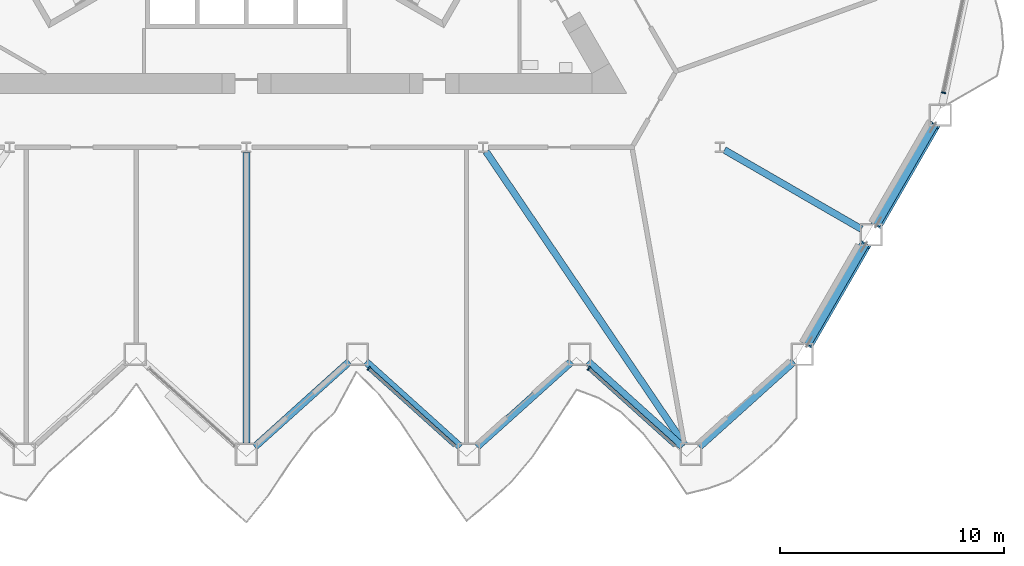
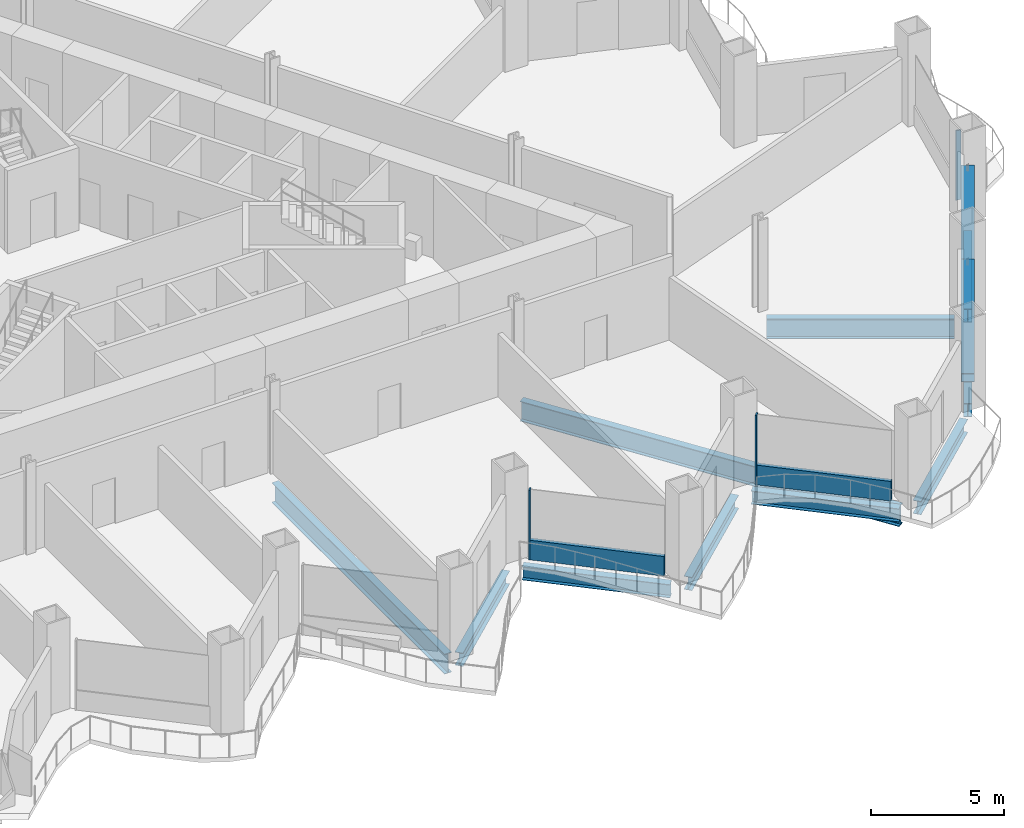
# One storey, part 4 of 21: 10 beams, 7 members, 3 elements without a shape of their own.
"""IFC4 building model written with IfcOpenShell, lengths in metres."""

from ifc_helpers import new_model, si_unit, direction, frame, origin, origin_2d, place, context, subcontext, project, spatial, rectangle, hollow_rectangle, i_section, extrude, material, layer, layer_set, material_profile, profile_set, type_object, element, aggregate, save


model = new_model("IFC4")

# Units and contexts
model_context = context("Model", 3, precision=1e-05, world=origin(), true_north=direction((0.0, 1.0)))
body_context = subcontext(model_context, "Body", "Model", "MODEL_VIEW")
ifc_project = project(units=[si_unit("LENGTHUNIT", "METRE"), si_unit("AREAUNIT", "SQUARE_METRE"), si_unit("VOLUMEUNIT", "CUBIC_METRE"), si_unit("PLANEANGLEUNIT", "RADIAN"), si_unit("MASSUNIT", "GRAM", prefix="KILO")], contexts=[model_context])

# Site, building, storey
site_placement = place(None, origin())
site = spatial("IfcSite", under=ifc_project, at=site_placement, CompositionType="ELEMENT")
building_placement = place(site_placement, origin())
building = spatial("IfcBuilding", under=site, at=building_placement, Name="Cormorant Prow Tower", CompositionType="ELEMENT")
storey_placement = place(building_placement, frame((0.0, 0.0, 67.800048828125)))
storey = spatial("IfcBuildingStorey", under=building, at=storey_placement, Name="L14", CompositionType="ELEMENT", Elevation=67.800048828125)

# Members
ifc_material_1 = material(Name="Structural steel ASTM A500 Gr C", Category="steel")
ifc_material_profile_1 = material_profile(ifc_material_1, hollow_rectangle(XDim=0.508056640625, YDim=0.508056640625, WallThickness=0.014892578125, at=origin_2d()), Name="HSS20x20x5/8")
ifc_profile_set_1 = profile_set([ifc_material_profile_1], Name="Structural steel ASTM A500 Gr C")
member_type_1 = type_object("IfcMemberType", Name="Chamfer brace HSS20x20x5/8", PredefinedType="BRACE", material=ifc_profile_set_1)
member_1_placement = place(storey_placement, frame((25.089599609375, -21.0107421875, 0.76708984375), z_axis=(0.47589308504, 0.824244468952, 0.306833549359), x_axis=(-0.866018434186, 0.500012071504, 0.0)))
element("IfcMember", 1, at=member_1_placement, inside=storey, type_object=member_type_1, Name="Chamfer brace BR1 at ESE00 L14", PredefinedType="BRACE", context=body_context, shape_type="SweptSolid", body=[
    extrude(hollow_rectangle(XDim=0.508056640625, YDim=0.508056640625, WallThickness=0.014892578125, at=origin_2d()), origin(), (0.0, 0.0, 1.0), 5.392333984375),
])
member_2_placement = place(storey_placement, frame((28.174560546875, -15.667724609375, 0.76708984375), z_axis=(0.475875326044, 0.824258984489, 0.306822099191), x_axis=(-0.866030326616, 0.499991473309, 0.0)))
element("IfcMember", 2, at=member_2_placement, inside=storey, type_object=member_type_1, Name="Chamfer brace BR1 at ESE01 L14", PredefinedType="BRACE", context=body_context, shape_type="SweptSolid", body=[
    extrude(hollow_rectangle(XDim=0.508056640625, YDim=0.508056640625, WallThickness=0.014892578125, at=origin_2d()), origin(), (0.0, 0.0, 1.0), 5.392578125),
])

# Curtain wall, member
ifc_material_2 = material(Name="Aluminium 6063-T6", Category="aluminium")
ifc_layer = layer(ifc_material_2, 0.199951171875)
ifc_layer_set = layer_set([ifc_layer], Name="Aluminium 6063-T6")
curtain_wall_type = type_object("IfcCurtainWallType", Name="Office unitised curtain wall 200", PredefinedType="NOTDEFINED", material=ifc_layer_set)
curtain_wall_1_placement = place(storey_placement, origin())
curtain_wall_1 = element("IfcCurtainWall", 3, at=curtain_wall_1_placement, inside=storey, type_object=curtain_wall_type, Name="Office curtain wall S06", PredefinedType="NOTDEFINED")
ifc_material_3 = material(Name="Aluminium 6063-T6", Category="aluminium")
ifc_material_profile_2 = material_profile(ifc_material_3, rectangle(XDim=0.199951171875, YDim=0.06005859375, at=origin_2d()), Name="Office mullion 60x200")
ifc_profile_set_2 = profile_set([ifc_material_profile_2], Name="Aluminium 6063-T6")
member_type_2 = type_object("IfcMemberType", Name="Office mullion 60x200", PredefinedType="MULLION", material=ifc_profile_set_2)
member_3_placement = place(storey_placement, frame((5.461669921875, -22.092041015625, 0.0), z_axis=(0.0, 0.0, 1.0), x_axis=(0.669130614945, 0.743144817746, 0.0)))
member_3 = element("IfcMember", 4, at=member_3_placement, type_object=member_type_2, Name="Office mullion S06", PredefinedType="MULLION", context=body_context, shape_type="SweptSolid", body=[
    extrude(rectangle(XDim=0.199951171875, YDim=0.06005859375, at=origin_2d()), origin(), (0.0, 0.0, 1.0), 3.18896484375),
])

curtain_wall_2_placement = place(storey_placement, origin())
curtain_wall_2 = element("IfcCurtainWall", 5, at=curtain_wall_2_placement, inside=storey, type_object=curtain_wall_type, Name="Office curtain wall S08", PredefinedType="NOTDEFINED")
member_4_placement = place(storey_placement, frame((15.2958984375, -22.092041015625, 0.0), z_axis=(0.0, 0.0, 1.0), x_axis=(0.669130614945, 0.743144817746, 0.0)))
member_4 = element("IfcMember", 6, at=member_4_placement, type_object=member_type_2, Name="Office mullion S08", PredefinedType="MULLION", context=body_context, shape_type="SweptSolid", body=[
    extrude(rectangle(XDim=0.199951171875, YDim=0.06005859375, at=origin_2d()), origin(), (0.0, 0.0, 1.0), 3.18896484375),
])

curtain_wall_3_placement = place(storey_placement, origin())
curtain_wall_3 = element("IfcCurtainWall", 7, at=curtain_wall_3_placement, inside=storey, type_object=curtain_wall_type, Name="Office curtain wall ENE00", PredefinedType="NOTDEFINED")
member_5_placement = place(storey_placement, frame((31.15234375, -9.773681640625, 0.0), z_axis=(0.0, 0.0, 1.0), x_axis=(-0.978147586919, 0.20791175581, 0.0)))
member_5 = element("IfcMember", 8, at=member_5_placement, type_object=member_type_2, Name="Office mullion ENE00", PredefinedType="MULLION", context=body_context, shape_type="SweptSolid", body=[
    extrude(rectangle(XDim=0.199951171875, YDim=0.06005859375, at=origin_2d()), origin(), (0.0, 0.0, 1.0), 3.18896484375),
])
aggregate(curtain_wall_3, [member_5])

# Member
ifc_material_4 = material(Name="Terracotta", Category="masonry")
ifc_material_profile_3 = material_profile(ifc_material_4, rectangle(XDim=0.159912109375, YDim=0.89990234375, at=origin_2d()), Name="Office terracotta spandrel rail 160x900")
ifc_profile_set_3 = profile_set([ifc_material_profile_3], Name="Terracotta")
member_type_3 = type_object("IfcMemberType", Name="Office terracotta spandrel rail 160x900", PredefinedType="USERDEFINED", material=ifc_profile_set_3)
member_6_placement = place(storey_placement, frame((5.484130859375, -22.112060546875, 0.449951171875), z_axis=(0.743136202967, -0.669140182502, 0.0), x_axis=(0.669140182502, 0.743136202967, 0.0)))
member_6 = element("IfcMember", 9, at=member_6_placement, type_object=member_type_3, Name="Office spandrel rail S06", ObjectType="TRANSOM", PredefinedType="USERDEFINED", context=body_context, shape_type="SweptSolid", body=[
    extrude(rectangle(XDim=0.159912109375, YDim=0.89990234375, at=origin_2d()), origin(), (0.0, 0.0, 1.0), 5.150390625),
])

aggregate(curtain_wall_1, [member_3, member_6])

member_7_placement = place(storey_placement, frame((15.318115234375, -22.112060546875, 0.449951171875), z_axis=(0.743157426454, -0.669116611291, 0.0), x_axis=(0.669116611291, 0.743157426454, 0.0)))
member_7 = element("IfcMember", 10, at=member_7_placement, type_object=member_type_3, Name="Office spandrel rail S08", ObjectType="TRANSOM", PredefinedType="USERDEFINED", context=body_context, shape_type="SweptSolid", body=[
    extrude(rectangle(XDim=0.159912109375, YDim=0.89990234375, at=origin_2d()), origin(), (0.0, 0.0, 1.0), 5.150390625),
])

aggregate(curtain_wall_2, [member_4, member_7])

# Beams
ifc_material_5 = material(Name="Structural steel ASTM A992 Gr 50", Category="steel")
ifc_material_profile_4 = material_profile(ifc_material_5, i_section(OverallWidth=0.3046875, OverallDepth=0.914794921875, WebThickness=0.0166015625, FlangeThickness=0.02587890625, at=origin_2d()), Name="W36x160")
ifc_profile_set_4 = profile_set([ifc_material_profile_4], Name="Structural steel ASTM A992 Gr 50")
beam_type_1 = type_object("IfcBeamType", Name="Radial floor beam W36x160", PredefinedType="BEAM", material=ifc_profile_set_4)
beam_1_placement = place(storey_placement, frame((0.0, -12.447265625, -0.857421875), z_axis=(0.0, -1.0, 0.0), x_axis=(1.0, 0.0, 0.0)))
element("IfcBeam", 11, at=beam_1_placement, inside=storey, type_object=beam_type_1, Name="Radial floor beam FB1 7 L14", PredefinedType="BEAM", context=body_context, shape_type="SweptSolid", body=[
    extrude(i_section(OverallWidth=0.3046875, OverallDepth=0.914794921875, WebThickness=0.0166015625, FlangeThickness=0.02587890625, at=origin_2d()), origin(), (0.0, 0.0, 1.0), 12.984130859375),
])
beam_2_placement = place(storey_placement, frame((10.708740234375, -12.4072265625, -0.857421875), z_axis=(0.560597160775, -0.828088656685, 0.0), x_axis=(0.828088656685, 0.560597160775, 0.0)))
element("IfcBeam", 12, at=beam_2_placement, inside=storey, type_object=beam_type_1, Name="Radial floor beam FB1 8 L14", PredefinedType="BEAM", context=body_context, shape_type="SweptSolid", body=[
    extrude(i_section(OverallWidth=0.3046875, OverallDepth=0.914794921875, WebThickness=0.0166015625, FlangeThickness=0.02587890625, at=origin_2d()), origin(), (0.0, 0.0, 1.0), 15.831787109375),
])
beam_3_placement = place(storey_placement, frame((21.358154296875, -12.3310546875, -0.857421875), z_axis=(0.866014253463, -0.500019312426, 0.0), x_axis=(0.500019312426, 0.866014253463, 0.0)))
element("IfcBeam", 13, at=beam_3_placement, inside=storey, type_object=beam_type_1, Name="Radial floor beam FB1 9 L14", PredefinedType="BEAM", context=body_context, shape_type="SweptSolid", body=[
    extrude(i_section(OverallWidth=0.3046875, OverallDepth=0.914794921875, WebThickness=0.0166015625, FlangeThickness=0.02587890625, at=origin_2d()), origin(), (0.0, 0.0, 1.0), 7.071533203125),
])
ifc_material_6 = material(Name="Structural steel ASTM A992 Gr 50", Category="steel")
ifc_material_profile_5 = material_profile(ifc_material_6, i_section(OverallWidth=0.32373046875, OverallDepth=0.611083984375, WebThickness=0.0126953125, FlangeThickness=0.01904296875, at=origin_2d()), Name="W24x104")
ifc_profile_set_5 = profile_set([ifc_material_profile_5], Name="Structural steel ASTM A992 Gr 50")
beam_type_2 = type_object("IfcBeamType", Name="Spandrel beam W24x104", PredefinedType="SPANDREL", material=ifc_profile_set_5)
for number, where, z_axis, x_axis, name in (
    (14, (0.37158203125, -25.596923828125, -0.70556640625), (0.743129630386, 0.669147481833, 0.0), (-0.669147481833, 0.743129630386, 0.0), "Spandrel beam SB1 S05-S06 L14"),
    (15, (5.337646484375, -21.79443359375, -0.70556640625), (0.743129630386, -0.669147481833, 0.0), (0.669147481833, 0.743129630386, 0.0), "Spandrel beam SB1 S06-S07 L14"),
    (16, (10.3037109375, -25.596923828125, -0.70556640625), (0.743129630386, 0.669147481833, 0.0), (-0.669147481833, 0.743129630386, 0.0), "Spandrel beam SB1 S07-S08 L14"),
    (17, (15.269775390625, -21.79443359375, -0.70556640625), (0.743129630386, -0.669147481833, 0.0), (0.669147481833, 0.743129630386, 0.0), "Spandrel beam SB1 S08-S09 L14"),
    (18, (20.23583984375, -25.596923828125, -0.70556640625), (0.743129630386, 0.669147481833, 0.0), (-0.669147481833, 0.743129630386, 0.0), "Spandrel beam SB1 S09-ESE00 L14"),
):
    element("IfcBeam", number, at=place(storey_placement, frame(where, z_axis=z_axis, x_axis=x_axis)), inside=storey, type_object=beam_type_2, Name=name, PredefinedType="SPANDREL", context=body_context, shape_type="SweptSolid", body=[
        extrude(i_section(OverallWidth=0.32373046875, OverallDepth=0.611083984375, WebThickness=0.0126953125, FlangeThickness=0.01904296875, at=origin_2d()), origin(), (0.0, 0.0, 1.0), 5.6826171875),
    ])
for number, where, z_axis, x_axis, name in (
    (19, (25.080322265625, -21.02685546875, -0.70556640625), (0.500019507279, 0.866014140959, 0.0), (-0.866014140959, 0.500019507279, 0.0), "Spandrel beam SB1 ESE00-ESE01 L14"),
    (20, (28.165283203125, -15.683837890625, -0.70556640625), (0.49998408811, 0.866034590324, 0.0), (-0.866034590324, 0.49998408811, 0.0), "Spandrel beam SB1 ESE01-ENE00 L14"),
):
    element("IfcBeam", number, at=place(storey_placement, frame(where, z_axis=z_axis, x_axis=x_axis)), inside=storey, type_object=beam_type_2, Name=name, PredefinedType="SPANDREL", context=body_context, shape_type="SweptSolid", body=[
        extrude(i_section(OverallWidth=0.32373046875, OverallDepth=0.611083984375, WebThickness=0.0126953125, FlangeThickness=0.01904296875, at=origin_2d()), origin(), (0.0, 0.0, 1.0), 5.169677734375),
    ])

save(model, "model.ifc")
